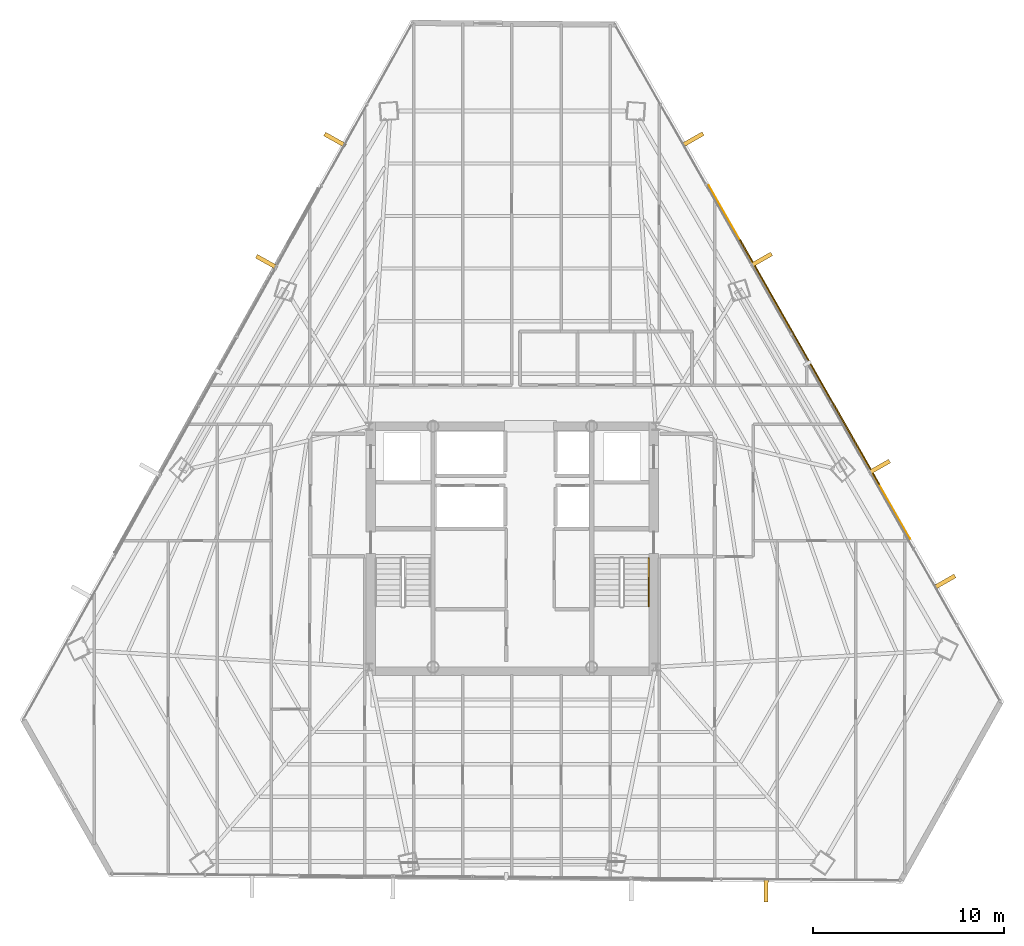
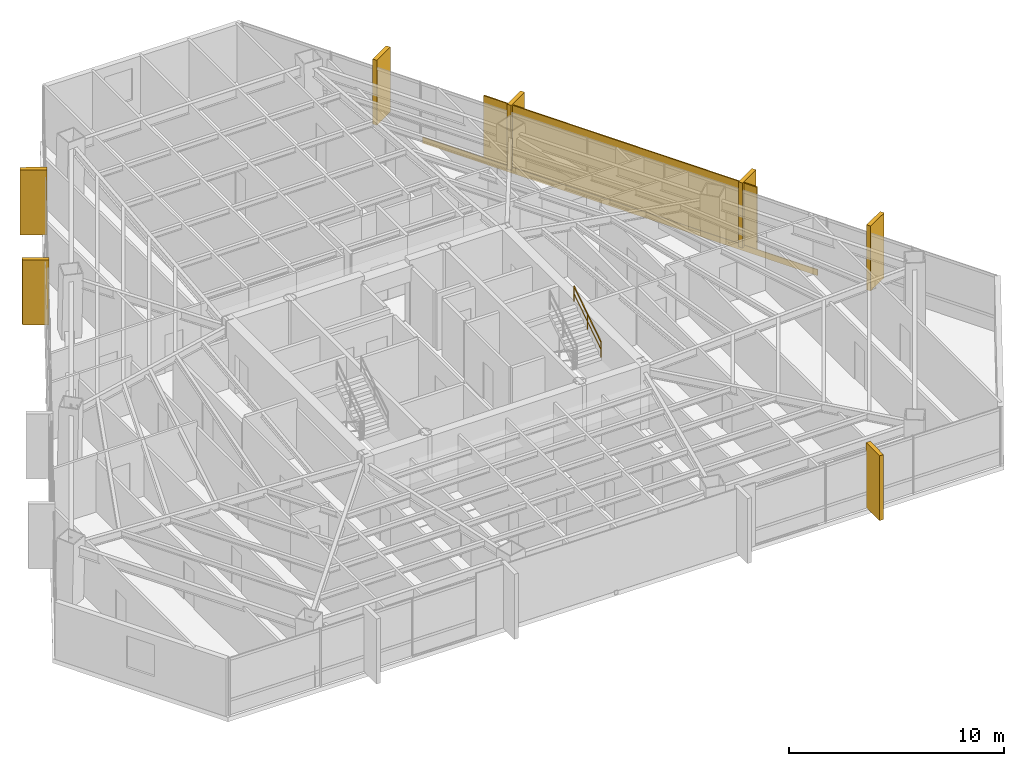
# One storey, part 40 of 40: 8 coverings, 1 railing, 1 shading device.
"""IFC4 building model written with IfcOpenShell, lengths in metres."""

import ifcopenshell
import ifcopenshell.guid

model = None  # the IFC model being written
_history = None  # IfcOwnerHistory: only IFC2X3 demands one
_inside = {}  # id of a spatial element -> (the spatial element, [elements in it])
_under = {}  # id of a project, library or spatial element -> (it, [spatial elements below it])
_declared = {}  # id of a project -> (the project, [libraries it declares])
_typed = {}  # id of a type object -> (the type object, [elements of that type])
_made_of = {}  # id of a material, layer set ... -> (it, [elements and type objects made of it])


def new_model(schema):
    """Start an empty IFC model of exactly this schema.

    Asked for "IFC4X3", IfcOpenShell would pick the latest addendum, in which some entities
    have other attributes; the version numbers below select the first issue.
    IFC2X3 requires an IfcOwnerHistory on every rooted entity: one is made here for all.
    """
    global model, _history
    if schema == "IFC4X3":
        model = ifcopenshell.file(schema_version=(4, 3, 0, 0))
    else:
        model = ifcopenshell.file(schema=schema)
    _inside.clear()
    _under.clear()
    _declared.clear()
    _typed.clear()
    _made_of.clear()
    _history = None
    if model.schema == "IFC2X3":
        org = make("IfcOrganization", Name="unknown")
        user = make(
            "IfcPersonAndOrganization",
            ThePerson=make("IfcPerson", FamilyName="unknown"),
            TheOrganization=org,
        )
        app = make(
            "IfcApplication",
            ApplicationDeveloper=org,
            Version="unknown",
            ApplicationFullName="unknown",
            ApplicationIdentifier="unknown",
        )
        _history = make(
            "IfcOwnerHistory",
            OwningUser=user,
            OwningApplication=app,
            ChangeAction="ADDED",
            CreationDate=0,
        )
    return model


def make(cls, **values):
    """One entity of the class cls with the attributes given. An attribute that is None is left unset."""
    return model.create_entity(
        cls, **{name: value for name, value in values.items() if value is not None}
    )


def rooted(cls, **values):
    """An entity with a GlobalId (a new one), such as an element, a storey or a relation."""
    return make(cls, GlobalId=ifcopenshell.guid.new(), OwnerHistory=_history, **values)


def si_unit(unit_type, name, prefix=None):
    """IfcSIUnit, for example si_unit("LENGTHUNIT", "METRE", prefix="MILLI")."""
    return make("IfcSIUnit", UnitType=unit_type, Prefix=prefix, Name=name)


def assignment(units):
    """IfcUnitAssignment: the units of a project."""
    return None if units is None else make("IfcUnitAssignment", Units=units)


def point(xyz):
    """IfcCartesianPoint."""
    return None if xyz is None else make("IfcCartesianPoint", Coordinates=xyz)


def direction(xyz):
    """IfcDirection."""
    return None if xyz is None else make("IfcDirection", DirectionRatios=xyz)


def frame(location, z_axis=None, x_axis=None):
    """IfcAxis2Placement3D, a coordinate frame: its origin and axes. An axis left out is left unset."""
    return make(
        "IfcAxis2Placement3D",
        Location=point(location),
        Axis=direction(z_axis),
        RefDirection=direction(x_axis),
    )


def frame_2d(location, x_axis=None):
    """IfcAxis2Placement2D, a coordinate frame in the plane: its origin and x axis."""
    return make(
        "IfcAxis2Placement2D", Location=point(location), RefDirection=direction(x_axis)
    )


def origin():
    """The frame at (0, 0, 0) with its axes left unset."""
    return frame((0.0, 0.0, 0.0))


def origin_2d():
    """The frame at (0, 0) in the plane with its x axis left unset."""
    return frame_2d((0.0, 0.0))


def place(relative_to, where):
    """IfcLocalPlacement: puts the frame where relative to a parent placement (None: the world)."""
    return make(
        "IfcLocalPlacement", PlacementRelTo=relative_to, RelativePlacement=where
    )


def context(
    kind, dimensions, precision=None, world=None, true_north=None, identifier=None
):
    """IfcGeometricRepresentationContext, for example the 3D "Model" context."""
    return make(
        "IfcGeometricRepresentationContext",
        ContextIdentifier=identifier,
        ContextType=kind,
        CoordinateSpaceDimension=dimensions,
        Precision=precision,
        WorldCoordinateSystem=world,
        TrueNorth=true_north,
    )


def subcontext(parent, identifier, kind, view, scale=None):
    """IfcGeometricRepresentationSubContext, for example "Body" below "Model"."""
    return make(
        "IfcGeometricRepresentationSubContext",
        ContextIdentifier=identifier,
        ContextType=kind,
        ParentContext=parent,
        TargetScale=scale,
        TargetView=view,
    )


def project(units=None, contexts=None):
    """IfcProject with its units and contexts."""
    return rooted(
        "IfcProject",
        Name="project",
        RepresentationContexts=contexts,
        UnitsInContext=assignment(units),
    )


def spatial(cls, under=None, at=None, **own):
    """A site, building, storey or space (cls), placed at a placement, below another one or the project."""
    s = rooted(cls, ObjectPlacement=at, **own)
    if under is not None:
        _under.setdefault(under.id(), (under, []))[1].append(s)
    return s


def profile(cls, at=None, kind="AREA", **sizes):
    """A parametric profile (cls). Its sizes go by their IFC names, for example OverallWidth=200.0."""
    return make(cls, ProfileType=kind, Position=at, **sizes)


def rectangle(**sizes):
    """IfcRectangleProfileDef."""
    return profile("IfcRectangleProfileDef", **sizes)


def extrude(swept, where, along, depth):
    """IfcExtrudedAreaSolid: the profile swept, set in the frame where, extruded along a direction by depth."""
    return make(
        "IfcExtrudedAreaSolid",
        SweptArea=swept,
        Position=where,
        ExtrudedDirection=direction(along),
        Depth=depth,
    )


def shape(context_of_items, identifier, shape_type, items):
    """IfcShapeRepresentation: the items that make up one representation, for example the "Body"."""
    return make(
        "IfcShapeRepresentation",
        ContextOfItems=context_of_items,
        RepresentationIdentifier=identifier,
        RepresentationType=shape_type,
        Items=items,
    )


def source(mapping_origin, context_of_items, identifier, shape_type, items):
    """IfcRepresentationMap: a shape defined once, which mapped items show again and again."""
    return make(
        "IfcRepresentationMap",
        MappingOrigin=mapping_origin,
        MappedRepresentation=shape(context_of_items, identifier, shape_type, items),
    )


def transform(
    local_origin,
    x_axis=None,
    y_axis=None,
    z_axis=None,
    scale=None,
    scale2=None,
    scale3=None,
    uniform=True,
):
    """IfcCartesianTransformationOperator3D, or its non-uniform kind. x_axis, y_axis, z_axis: its Axis1, 2, 3."""
    if uniform:
        return make(
            "IfcCartesianTransformationOperator3D",
            Axis1=direction(x_axis),
            Axis2=direction(y_axis),
            LocalOrigin=point(local_origin),
            Scale=scale,
            Axis3=direction(z_axis),
        )
    return make(
        "IfcCartesianTransformationOperator3DnonUniform",
        Axis1=direction(x_axis),
        Axis2=direction(y_axis),
        LocalOrigin=point(local_origin),
        Scale=scale,
        Axis3=direction(z_axis),
        Scale2=scale2,
        Scale3=scale3,
    )


def mapped(mapping_source, mapping_target):
    """IfcMappedItem: shows the shape of a source again, moved by a transform."""
    return make(
        "IfcMappedItem", MappingSource=mapping_source, MappingTarget=mapping_target
    )


def material(Name=None, Category=None):
    """IfcMaterial."""
    return make("IfcMaterial", Name=Name, Category=Category)


def layer(
    of_material, thickness, ventilated=None, Name=None, Category=None, Priority=None
):
    """IfcMaterialLayer: one layer of a wall or slab, of a material (None: an air gap)."""
    return make(
        "IfcMaterialLayer",
        Material=of_material,
        LayerThickness=thickness,
        IsVentilated=ventilated,
        Name=Name,
        Category=Category,
        Priority=Priority,
    )


def layer_set(layers, Name=None):
    """IfcMaterialLayerSet."""
    return make("IfcMaterialLayerSet", MaterialLayers=layers, LayerSetName=Name)


def made_of(thing, what):
    """Note that an element or type object is made of a material, layer set ...; save() writes the relation."""
    if what is not None:
        _made_of.setdefault(what.id(), (what, []))[1].append(thing)
    return thing


def type_object(cls, material=None, **own):
    """A type object (cls), such as IfcWallType, which elements share."""
    return made_of(rooted(cls, **own), material)


def type_shapes(of_type, sources):
    """Give a type object the sources (RepresentationMaps) that its elements show as mapped items."""
    of_type.RepresentationMaps = sources


def element(
    cls,
    number,
    at=None,
    inside=None,
    cuts=None,
    type_object=None,
    material=None,
    context=None,
    identifier="Body",
    shape_type=None,
    held_by="IfcProductDefinitionShape",
    body=None,
    shapes=None,
    **own,
):
    """One element of the class cls, such as IfcWall. Its Tag is "e" and its number.

    at: its placement. inside: the storey or other place that contains it. cuts: it is an
    opening in that element (IfcRelVoidsElement). A single representation is given by context,
    identifier, shape_type and body (its items); several are given by shapes. held_by: the class
    of the entity that holds the representations. save() writes the other relations.
    """
    e = rooted(cls, Tag="e%d" % number, ObjectPlacement=at, **own)
    if body is not None:
        shapes = [shape(context, identifier, shape_type, body)]
    if shapes is not None:
        e.Representation = make(held_by, Representations=shapes)
    if inside is not None:
        _inside.setdefault(inside.id(), (inside, []))[1].append(e)
    if cuts is not None:
        rooted(
            "IfcRelVoidsElement", RelatingBuildingElement=cuts, RelatedOpeningElement=e
        )
    if type_object is not None:
        _typed.setdefault(type_object.id(), (type_object, []))[1].append(e)
    return made_of(e, material)


def aggregate(whole, parts):
    """IfcRelAggregates: a whole, such as a stair, and the parts it consists of."""
    return rooted("IfcRelAggregates", RelatingObject=whole, RelatedObjects=parts)


def save(model, path):
    """Write the relations noted so far, then the file.

    IfcRelAggregates (storeys below a building ...), IfcRelContainedInSpatialStructure (elements
    in a storey), IfcRelDefinesByType, IfcRelAssociatesMaterial and IfcRelDeclares: one each for
    every whole, place, type object, material and project.
    """
    for whole, parts in _under.values():
        aggregate(whole, parts)
    for where, things in _inside.values():
        rooted(
            "IfcRelContainedInSpatialStructure",
            RelatedElements=things,
            RelatingStructure=where,
        )
    for kind, things in _typed.values():
        rooted("IfcRelDefinesByType", RelatedObjects=things, RelatingType=kind)
    for what, things in _made_of.values():
        rooted("IfcRelAssociatesMaterial", RelatedObjects=things, RelatingMaterial=what)
    for by, libraries in _declared.values():
        rooted("IfcRelDeclares", RelatingContext=by, RelatedDefinitions=libraries)
    model.write(path)


model = new_model("IFC4")

# Units and contexts
model_context = context("Model", 3, precision=1e-05, world=origin(), true_north=direction((0.0, 1.0)))
body_context = subcontext(model_context, "Body", "Model", "MODEL_VIEW")
ifc_project = project(units=[si_unit("LENGTHUNIT", "METRE"), si_unit("AREAUNIT", "SQUARE_METRE"), si_unit("VOLUMEUNIT", "CUBIC_METRE"), si_unit("PLANEANGLEUNIT", "RADIAN"), si_unit("MASSUNIT", "GRAM", prefix="KILO")], contexts=[model_context])

# Site, building, storey
site_placement = place(None, origin())
site = spatial("IfcSite", under=ifc_project, at=site_placement, CompositionType="ELEMENT")
building_placement = place(site_placement, origin())
building = spatial("IfcBuilding", under=site, at=building_placement, Name="Caelisora Broadcast Tower", CompositionType="ELEMENT")
storey_placement = place(building_placement, frame((0.0, 0.0, 146.39990234375)))
storey = spatial("IfcBuildingStorey", under=building, at=storey_placement, Name="L38", CompositionType="ELEMENT", Elevation=146.39990234375)

# Railing
ifc_material_1 = material(Name="Stainless Steel Grade 316 Tubular Handrail", Category="steel")
ifc_layer_1 = layer(ifc_material_1, 0.048095703125, Name="Stainless Steel Grade 316 Tubular Handrail")
ifc_layer_set_1 = layer_set([ifc_layer_1], Name="Stainless Steel Grade 316 Tubular Handrail")
railing_type = type_object("IfcRailingType", Name="HR-1", PredefinedType="HANDRAIL", material=ifc_layer_set_1)
railing_placement = place(storey_placement, frame((45.1298828125, 20.580078125, 2.007568359375)))
element("IfcRailing", 1, at=railing_placement, inside=storey, type_object=railing_type, Name="L38 ST-2 stair handrail 2", PredefinedType="HANDRAIL", context=body_context, shape_type="SweptSolid", body=[
    extrude(rectangle(XDim=0.048095703125, YDim=0.048095703125, at=origin_2d()), frame((0.0, 0.0, 0.8759765625), z_axis=(0.0, 0.837749427056, 0.546054848405), x_axis=(-1.0, 0.0, 0.0)), (0.0, 0.0, 1.0), 3.008056640625),
    extrude(rectangle(XDim=0.03125, YDim=0.03125, at=origin_2d()), frame((0.0, 0.0, 0.449951171875), z_axis=(0.0, 0.837749427056, 0.546054848405), x_axis=(-1.0, 0.0, 0.0)), (0.0, 0.0, 1.0), 3.008056640625),
    extrude(rectangle(XDim=0.0419921875, YDim=0.0419921875, at=origin_2d()), origin(), (0.0, 0.0, 1.0), 0.851806640625),
    extrude(rectangle(XDim=0.0419921875, YDim=0.0419921875, at=origin_2d()), frame((0.0, 1.260009765625, 0.8212890625)), (0.0, 0.0, 1.0), 0.851806640625),
    extrude(rectangle(XDim=0.0419921875, YDim=0.0419921875, at=origin_2d()), frame((0.0, 2.52001953125, 1.642578125)), (0.0, 0.0, 1.0), 0.851806640625),
])

# Coverings
ifc_material_2 = material(Name="Kiln-Fired Terracotta Spandrel Rainscreen Cladding", Category="ceramic")
ifc_layer_2 = layer(ifc_material_2, 0.044921875, Name="Kiln-Fired Terracotta Spandrel Rainscreen Cladding")
ifc_layer_set_2 = layer_set([ifc_layer_2], Name="Kiln-Fired Terracotta Spandrel Rainscreen Cladding")
covering_type = type_object("IfcCoveringType", Name="CL-1", PredefinedType="CLADDING", material=ifc_layer_set_2)
shared_shape_1 = source(origin(), body_context, "Body", "SweptSolid", [
    extrude(rectangle(XDim=0.219970703125, YDim=1.25, at=origin_2d()), origin(), (0.0, 0.0, 1.0), 3.68994140625),
])
for number, where, z_axis, x_axis, name in (
    (2, (47.43798828125, 44.998291015625, -0.019775390625), (0.0, 0.0, 1.0), (0.494852128545, -0.868977198133, 0.0), "L38 vertical solar fin cladding #1-1"),
    (3, (51.021484375, 38.706298828125, -0.019775390625), (0.0, 0.0, 1.0), (0.494852128545, -0.868977198133, 0.0), "L38 vertical solar fin cladding #1-2"),
    (4, (57.193603515625, 27.869384765625, -0.019775390625), (0.0, 0.0, 1.0), (0.494852128545, -0.868977198133, 0.0), "L38 vertical solar fin cladding #1-3"),
    (5, (60.614501953125, 21.86279296875, -0.019775390625), (0.0, 0.0, 1.0), (0.494852128545, -0.868977198133, 0.0), "L38 vertical solar fin cladding #1-4"),
    (6, (51.27490234375, 5.738037109375, -0.019775390625), (0.0, 0.0, 1.0), (-0.999966355195, 0.008202955488, 0.0), "L38 vertical solar fin cladding #2-1"),
    (7, (25.155517578125, 38.5908203125, -0.019775390625), (0.0, 0.0, 1.0), (0.487707298065, 0.873007211547, 0.0), "L38 vertical solar fin cladding #3-3"),
    (8, (28.726318359375, 44.98193359375, -0.019775390625), (0.0, 0.0, 1.0), (0.487707298065, 0.873007211547, 0.0), "L38 vertical solar fin cladding #3-4"),
):
    element("IfcCovering", number, at=place(storey_placement, frame(where, z_axis=z_axis, x_axis=x_axis)), inside=storey, type_object=covering_type, Name=name, PredefinedType="CLADDING", context=body_context, shape_type="MappedRepresentation", body=[
        mapped(shared_shape_1, transform((0.0, 0.0, 0.0), scale=1.0)),
    ])

# Shading device
ifc_material_3 = material(Name="Perforated Glazed Terracotta Baguette Solar Screen", Category="ceramic")
ifc_layer_3 = layer(ifc_material_3, 0.06494140625, Name="Perforated Glazed Terracotta Baguette Solar Screen")
ifc_layer_set_3 = layer_set([ifc_layer_3], Name="Perforated Glazed Terracotta Baguette Solar Screen")
shading_device_type = type_object("IfcShadingDeviceType", Name="SS-1", PredefinedType="USERDEFINED", material=ifc_layer_set_3)
shared_shape_2 = source(origin(), body_context, "Body", "SweptSolid", [
    extrude(rectangle(XDim=14.740966796875, YDim=0.06494140625, at=origin_2d()), origin(), (0.0, 0.0, 1.0), 3.590087890625),
])
type_shapes(shading_device_type, [shared_shape_2])
shading_device_placement = place(storey_placement, frame((53.5537109375, 33.351318359375, 0.0), z_axis=(0.0, 0.0, 1.0), x_axis=(-0.494852128545, 0.868977198133, 0.0)))
element("IfcShadingDevice", 9, at=shading_device_placement, inside=storey, type_object=shading_device_type, Name="L38 perforated terracotta solar screen #3", ObjectType="SOLAR SCREEN", PredefinedType="USERDEFINED", context=body_context, shape_type="MappedRepresentation", body=[
    mapped(shared_shape_2, transform((0.0, 0.0, 0.0), scale=1.0)),
])

# Covering
shared_shape_3 = source(origin(), body_context, "Body", "SweptSolid", [
    extrude(rectangle(XDim=21.29296875, YDim=0.044921875, at=origin_2d()), origin(), (0.0, 0.0, 1.0), 0.340087890625),
])
type_shapes(covering_type, [shared_shape_1, shared_shape_3])
covering_placement = place(storey_placement, frame((53.536376953125, 33.34130859375, -0.27001953125), z_axis=(0.0, 0.0, 1.0), x_axis=(-0.494852128545, 0.868977198133, 0.0)))
element("IfcCovering", 10, at=covering_placement, inside=storey, type_object=covering_type, Name="L38 terracotta spandrel rainscreen #3", PredefinedType="CLADDING", context=body_context, shape_type="MappedRepresentation", body=[
    mapped(shared_shape_3, transform((0.0, 0.0, 0.0), scale=1.0)),
])

save(model, "model.ifc")
